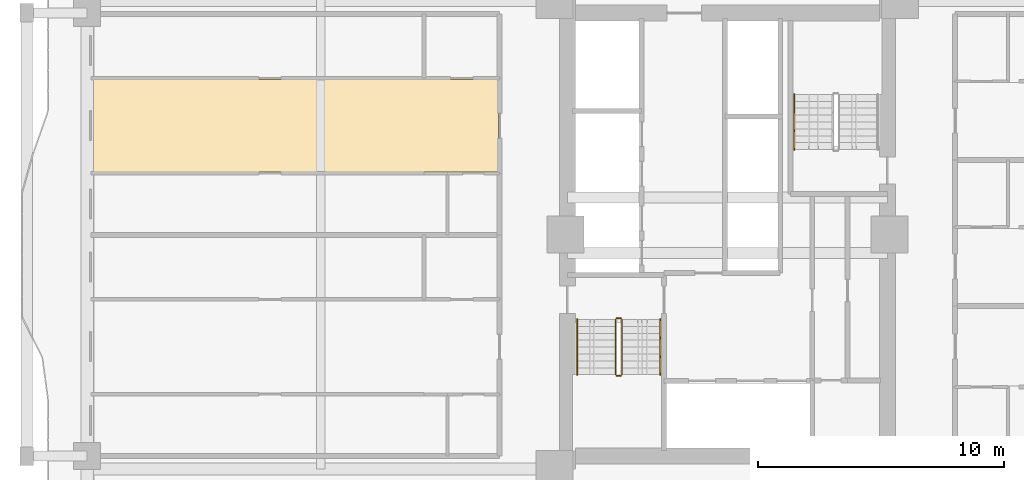
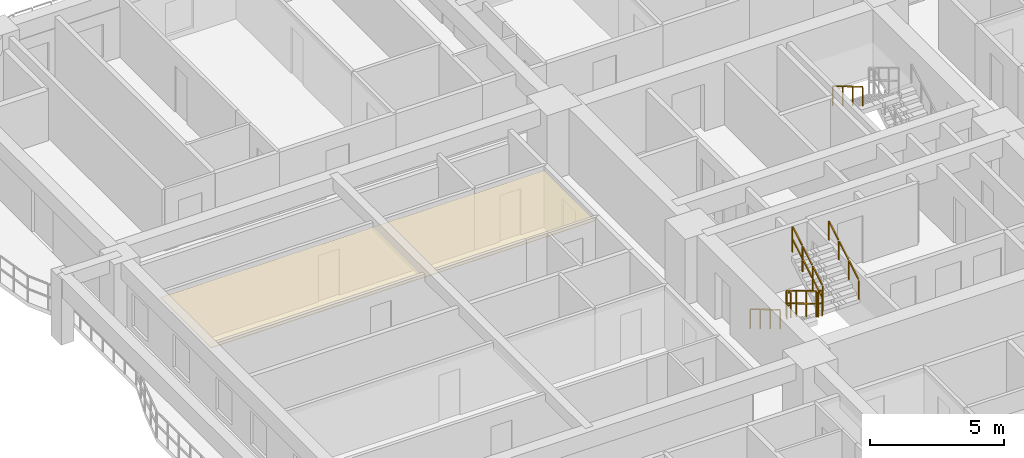
# One storey, part 14 of 18: 7 railings, 1 covering.
"""IFC4 building model written with IfcOpenShell, lengths in metres."""

from ifc_helpers import new_model, si_unit, direction, frame, origin, origin_2d, place, context, subcontext, project, spatial, polyline, rectangle, outline, extrude, material, layer, layer_set, type_object, element, save


model = new_model("IFC4")

# Units and contexts
model_context = context("Model", 3, precision=1e-05, world=origin(), true_north=direction((0.0, 1.0)))
body_context = subcontext(model_context, "Body", "Model", "MODEL_VIEW")
ifc_project = project(units=[si_unit("LENGTHUNIT", "METRE"), si_unit("AREAUNIT", "SQUARE_METRE"), si_unit("VOLUMEUNIT", "CUBIC_METRE"), si_unit("PLANEANGLEUNIT", "RADIAN"), si_unit("MASSUNIT", "GRAM", prefix="KILO")], contexts=[model_context])

# Site, building, storey
site_placement = place(None, origin())
site = spatial("IfcSite", under=ifc_project, at=site_placement, CompositionType="ELEMENT")
building_placement = place(site_placement, origin())
building = spatial("IfcBuilding", under=site, at=building_placement, Name="Saelheon Loggia Tower", CompositionType="ELEMENT")
storey_placement = place(building_placement, frame((0.0, 0.0, 40.39990234375)))
storey = spatial("IfcBuildingStorey", under=building, at=storey_placement, Name="L12", CompositionType="ELEMENT", Elevation=40.39990234375)

# Covering
ifc_material_1 = material(Name="Mineral-Fibre Acoustic Ceiling Board", Category="gypsum")
ifc_layer = layer(ifc_material_1, 0.02490234375)
ifc_layer_set = layer_set([ifc_layer], Name="Mineral-Fibre Acoustic Ceiling Board")
covering_type = type_object("IfcCoveringType", Name="Cov_Ceiling_Acoustic", PredefinedType="CEILING", material=ifc_layer_set)
covering_placement = place(storey_placement, frame((0.0, 0.0, 2.53515625)))
element("IfcCovering", 1, at=covering_placement, inside=storey, type_object=covering_type, Name="L12 Acoustic Suspended Ceiling", PredefinedType="CEILING", context=body_context, shape_type="SweptSolid", body=[
    extrude(outline(polyline([(12.199951171875, 29.5380859375), (28.699951171875, 29.5380859375), (28.699951171875, 33.300048828125), (12.199951171875, 33.300048828125), (12.199951171875, 29.5380859375)])), origin(), (0.0, 0.0, 1.0), 0.02490234375),
])

# Railings
ifc_material_2 = material(Name="Galvanised Steel S275 Stairwell Guardrail", Category="steel")
railing_type_1 = type_object("IfcRailingType", Name="Guard_StairWell_RL_STG", PredefinedType="GUARDRAIL", material=ifc_material_2)
railing_1_placement = place(storey_placement, frame((33.4599609375, 23.550048828125, 0.166748046875)))
element("IfcRailing", 2, at=railing_1_placement, inside=storey, type_object=railing_type_1, Name="L12 ST1 stair guard 1", PredefinedType="GUARDRAIL", context=body_context, shape_type="SweptSolid", body=[
    extrude(rectangle(XDim=0.048095703125, YDim=0.048095703125, at=origin_2d()), frame((0.0, -0.028564453125, 1.19287109375), z_axis=(0.0, -0.859305625298, 0.511462454469), x_axis=(1.0, 0.0, 0.0)), (0.0, 0.0, 1.0), 0.802490234375),
    extrude(rectangle(XDim=0.048095703125, YDim=0.048095703125, at=origin_2d()), frame((0.0, -0.028564453125, 0.616943359375), z_axis=(0.0, -0.859305625298, 0.511462454469), x_axis=(1.0, 0.0, 0.0)), (0.0, 0.0, 1.0), 0.802490234375),
    extrude(rectangle(XDim=0.048095703125, YDim=0.048095703125, at=origin_2d()), frame((0.0, -0.775146484375, 1.63720703125), z_axis=(0.0, -0.859305625298, 0.511462454469), x_axis=(1.0, 0.0, 0.0)), (0.0, 0.0, 1.0), 0.802490234375),
    extrude(rectangle(XDim=0.048095703125, YDim=0.048095703125, at=origin_2d()), frame((0.0, -0.775146484375, 1.061279296875), z_axis=(0.0, -0.859305625298, 0.511462454469), x_axis=(1.0, 0.0, 0.0)), (0.0, 0.0, 1.0), 0.802490234375),
    extrude(rectangle(XDim=0.048095703125, YDim=0.048095703125, at=origin_2d()), frame((0.0, -1.52197265625, 2.081787109375), z_axis=(0.0, -0.859305625298, 0.511462454469), x_axis=(1.0, 0.0, 0.0)), (0.0, 0.0, 1.0), 0.802490234375),
    extrude(rectangle(XDim=0.048095703125, YDim=0.048095703125, at=origin_2d()), frame((0.0, -1.52197265625, 1.505859375), z_axis=(0.0, -0.859305625298, 0.511462454469), x_axis=(1.0, 0.0, 0.0)), (0.0, 0.0, 1.0), 0.802490234375),
    extrude(rectangle(XDim=0.0419921875, YDim=0.0419921875, at=origin_2d()), origin(), (0.0, 0.0, 1.0), 1.14794921875),
    extrude(rectangle(XDim=0.0419921875, YDim=0.0419921875, at=origin_2d()), frame((0.0, -0.74658203125, 0.4443359375)), (0.0, 0.0, 1.0), 1.14794921875),
    extrude(rectangle(XDim=0.0419921875, YDim=0.0419921875, at=origin_2d()), frame((0.0, -1.493408203125, 0.888916015625)), (0.0, 0.0, 1.0), 1.14794921875),
    extrude(rectangle(XDim=0.0419921875, YDim=0.0419921875, at=origin_2d()), frame((0.0, -2.239990234375, 1.333251953125)), (0.0, 0.0, 1.0), 1.14794921875),
])
railing_2_placement = place(storey_placement, frame((33.510009765625, 21.260009765625, 1.5)))
element("IfcRailing", 3, at=railing_2_placement, inside=storey, type_object=railing_type_1, Name="L12 ST1 stair guard 2", PredefinedType="GUARDRAIL", context=body_context, shape_type="SweptSolid", body=[
    extrude(rectangle(XDim=0.048095703125, YDim=0.048095703125, at=origin_2d()), frame((0.033203125, 0.0, 1.17578125), z_axis=(1.0, 0.0, 0.0), x_axis=(0.0, 1.0, 0.0)), (0.0, 0.0, 1.0), 0.093505859375),
    extrude(rectangle(XDim=0.048095703125, YDim=0.048095703125, at=origin_2d()), frame((0.033203125, 0.0, 0.60009765625), z_axis=(1.0, 0.0, 0.0), x_axis=(0.0, 1.0, 0.0)), (0.0, 0.0, 1.0), 0.093505859375),
    extrude(rectangle(XDim=0.0419921875, YDim=0.0419921875, at=origin_2d()), origin(), (0.0, 0.0, 1.0), 1.14794921875),
    extrude(rectangle(XDim=0.0419921875, YDim=0.0419921875, at=origin_2d()), frame((0.159912109375, 0.0, 0.0)), (0.0, 0.0, 1.0), 1.14794921875),
])
railing_3_placement = place(storey_placement, frame((33.719970703125, 21.31005859375, 1.666748046875)))
element("IfcRailing", 4, at=railing_3_placement, inside=storey, type_object=railing_type_1, Name="L12 ST1 stair guard 3", PredefinedType="GUARDRAIL", context=body_context, shape_type="SweptSolid", body=[
    extrude(rectangle(XDim=0.048095703125, YDim=0.048095703125, at=origin_2d()), frame((0.0, 0.028564453125, 1.19287109375), z_axis=(0.0, 0.859305625298, 0.511462454469), x_axis=(-1.0, 0.0, 0.0)), (0.0, 0.0, 1.0), 0.802490234375),
    extrude(rectangle(XDim=0.048095703125, YDim=0.048095703125, at=origin_2d()), frame((0.0, 0.028564453125, 0.616943359375), z_axis=(0.0, 0.859305625298, 0.511462454469), x_axis=(-1.0, 0.0, 0.0)), (0.0, 0.0, 1.0), 0.802490234375),
    extrude(rectangle(XDim=0.048095703125, YDim=0.048095703125, at=origin_2d()), frame((0.0, 0.775146484375, 1.63720703125), z_axis=(0.0, 0.859305625298, 0.511462454469), x_axis=(-1.0, 0.0, 0.0)), (0.0, 0.0, 1.0), 0.802490234375),
    extrude(rectangle(XDim=0.048095703125, YDim=0.048095703125, at=origin_2d()), frame((0.0, 0.775146484375, 1.061279296875), z_axis=(0.0, 0.859305625298, 0.511462454469), x_axis=(-1.0, 0.0, 0.0)), (0.0, 0.0, 1.0), 0.802490234375),
    extrude(rectangle(XDim=0.048095703125, YDim=0.048095703125, at=origin_2d()), frame((0.0, 1.52197265625, 2.081787109375), z_axis=(0.0, 0.859305625298, 0.511462454469), x_axis=(-1.0, 0.0, 0.0)), (0.0, 0.0, 1.0), 0.802490234375),
    extrude(rectangle(XDim=0.048095703125, YDim=0.048095703125, at=origin_2d()), frame((0.0, 1.52197265625, 1.505859375), z_axis=(0.0, 0.859305625298, 0.511462454469), x_axis=(-1.0, 0.0, 0.0)), (0.0, 0.0, 1.0), 0.802490234375),
    extrude(rectangle(XDim=0.0419921875, YDim=0.0419921875, at=origin_2d()), origin(), (0.0, 0.0, 1.0), 1.14794921875),
    extrude(rectangle(XDim=0.0419921875, YDim=0.0419921875, at=origin_2d()), frame((0.0, 0.74658203125, 0.4443359375)), (0.0, 0.0, 1.0), 1.14794921875),
    extrude(rectangle(XDim=0.0419921875, YDim=0.0419921875, at=origin_2d()), frame((0.0, 1.493408203125, 0.888916015625)), (0.0, 0.0, 1.0), 1.14794921875),
    extrude(rectangle(XDim=0.0419921875, YDim=0.0419921875, at=origin_2d()), frame((0.0, 2.239990234375, 1.333251953125)), (0.0, 0.0, 1.0), 1.14794921875),
])
railing_4_placement = place(storey_placement, frame((33.510009765625, 23.60009765625, 0.0)))
element("IfcRailing", 5, at=railing_4_placement, inside=storey, type_object=railing_type_1, Name="L12 ST1 stair guard 4", PredefinedType="GUARDRAIL", context=body_context, shape_type="SweptSolid", body=[
    extrude(rectangle(XDim=0.048095703125, YDim=0.048095703125, at=origin_2d()), frame((0.033203125, 0.0, 1.17578125), z_axis=(1.0, 0.0, 0.0), x_axis=(0.0, 1.0, 0.0)), (0.0, 0.0, 1.0), 0.093505859375),
    extrude(rectangle(XDim=0.048095703125, YDim=0.048095703125, at=origin_2d()), frame((0.033203125, 0.0, 0.60009765625), z_axis=(1.0, 0.0, 0.0), x_axis=(0.0, 1.0, 0.0)), (0.0, 0.0, 1.0), 0.093505859375),
    extrude(rectangle(XDim=0.0419921875, YDim=0.0419921875, at=origin_2d()), origin(), (0.0, 0.0, 1.0), 1.14794921875),
    extrude(rectangle(XDim=0.0419921875, YDim=0.0419921875, at=origin_2d()), frame((0.159912109375, 0.0, 0.0)), (0.0, 0.0, 1.0), 1.14794921875),
])
ifc_material_3 = material(Name="Stainless Steel 304 Tubular Handrail", Category="steel")
railing_type_2 = type_object("IfcRailingType", Name="Handrail_Stair_RL_HR1", PredefinedType="HANDRAIL", material=ifc_material_3)
railing_5_placement = place(storey_placement, frame((31.89990234375, 23.550048828125, 0.166748046875)))
element("IfcRailing", 6, at=railing_5_placement, inside=storey, type_object=railing_type_2, Name="L12 ST1 stair handrail 1", PredefinedType="HANDRAIL", context=body_context, shape_type="SweptSolid", body=[
    extrude(rectangle(XDim=0.048095703125, YDim=0.048095703125, at=origin_2d()), frame((0.0, -0.028564453125, 0.892822265625), z_axis=(0.0, -0.859305625298, 0.511462454469), x_axis=(1.0, 0.0, 0.0)), (0.0, 0.0, 1.0), 0.802490234375),
    extrude(rectangle(XDim=0.048095703125, YDim=0.048095703125, at=origin_2d()), frame((0.0, -0.775146484375, 1.337158203125), z_axis=(0.0, -0.859305625298, 0.511462454469), x_axis=(1.0, 0.0, 0.0)), (0.0, 0.0, 1.0), 0.802490234375),
    extrude(rectangle(XDim=0.048095703125, YDim=0.048095703125, at=origin_2d()), frame((0.0, -1.52197265625, 1.78173828125), z_axis=(0.0, -0.859305625298, 0.511462454469), x_axis=(1.0, 0.0, 0.0)), (0.0, 0.0, 1.0), 0.802490234375),
    extrude(rectangle(XDim=0.0419921875, YDim=0.0419921875, at=origin_2d()), origin(), (0.0, 0.0, 1.0), 0.847900390625),
    extrude(rectangle(XDim=0.0419921875, YDim=0.0419921875, at=origin_2d()), frame((0.0, -0.74658203125, 0.4443359375)), (0.0, 0.0, 1.0), 0.847900390625),
    extrude(rectangle(XDim=0.0419921875, YDim=0.0419921875, at=origin_2d()), frame((0.0, -1.493408203125, 0.888916015625)), (0.0, 0.0, 1.0), 0.847900390625),
    extrude(rectangle(XDim=0.0419921875, YDim=0.0419921875, at=origin_2d()), frame((0.0, -2.239990234375, 1.333251953125)), (0.0, 0.0, 1.0), 0.847900390625),
])
railing_6_placement = place(storey_placement, frame((35.280029296875, 21.31005859375, 1.666748046875)))
element("IfcRailing", 7, at=railing_6_placement, inside=storey, type_object=railing_type_2, Name="L12 ST1 stair handrail 2", PredefinedType="HANDRAIL", context=body_context, shape_type="SweptSolid", body=[
    extrude(rectangle(XDim=0.048095703125, YDim=0.048095703125, at=origin_2d()), frame((0.0, 0.028564453125, 0.892822265625), z_axis=(0.0, 0.859305625298, 0.511462454469), x_axis=(-1.0, 0.0, 0.0)), (0.0, 0.0, 1.0), 0.802490234375),
    extrude(rectangle(XDim=0.048095703125, YDim=0.048095703125, at=origin_2d()), frame((0.0, 0.775146484375, 1.337158203125), z_axis=(0.0, 0.859305625298, 0.511462454469), x_axis=(-1.0, 0.0, 0.0)), (0.0, 0.0, 1.0), 0.802490234375),
    extrude(rectangle(XDim=0.048095703125, YDim=0.048095703125, at=origin_2d()), frame((0.0, 1.52197265625, 1.78173828125), z_axis=(0.0, 0.859305625298, 0.511462454469), x_axis=(-1.0, 0.0, 0.0)), (0.0, 0.0, 1.0), 0.802490234375),
    extrude(rectangle(XDim=0.0419921875, YDim=0.0419921875, at=origin_2d()), origin(), (0.0, 0.0, 1.0), 0.847900390625),
    extrude(rectangle(XDim=0.0419921875, YDim=0.0419921875, at=origin_2d()), frame((0.0, 0.74658203125, 0.4443359375)), (0.0, 0.0, 1.0), 0.847900390625),
    extrude(rectangle(XDim=0.0419921875, YDim=0.0419921875, at=origin_2d()), frame((0.0, 1.493408203125, 0.888916015625)), (0.0, 0.0, 1.0), 0.847900390625),
    extrude(rectangle(XDim=0.0419921875, YDim=0.0419921875, at=origin_2d()), frame((0.0, 2.239990234375, 1.333251953125)), (0.0, 0.0, 1.0), 0.847900390625),
])
railing_7_placement = place(storey_placement, frame((40.719970703125, 32.68994140625, 1.666748046875)))
element("IfcRailing", 8, at=railing_7_placement, inside=storey, type_object=railing_type_2, Name="L12 ST2 stair handrail 2", PredefinedType="HANDRAIL", context=body_context, shape_type="SweptSolid", body=[
    extrude(rectangle(XDim=0.048095703125, YDim=0.048095703125, at=origin_2d()), frame((0.0, -0.028564453125, 0.892822265625), z_axis=(0.0, -0.859305625298, 0.511462454469), x_axis=(1.0, 0.0, 0.0)), (0.0, 0.0, 1.0), 0.802490234375),
    extrude(rectangle(XDim=0.048095703125, YDim=0.048095703125, at=origin_2d()), frame((0.0, -0.775146484375, 1.337158203125), z_axis=(0.0, -0.859305625298, 0.511462454469), x_axis=(1.0, 0.0, 0.0)), (0.0, 0.0, 1.0), 0.802490234375),
    extrude(rectangle(XDim=0.048095703125, YDim=0.048095703125, at=origin_2d()), frame((0.0, -1.52197265625, 1.78173828125), z_axis=(0.0, -0.859305625298, 0.511462454469), x_axis=(1.0, 0.0, 0.0)), (0.0, 0.0, 1.0), 0.802490234375),
    extrude(rectangle(XDim=0.0419921875, YDim=0.0419921875, at=origin_2d()), origin(), (0.0, 0.0, 1.0), 0.847900390625),
    extrude(rectangle(XDim=0.0419921875, YDim=0.0419921875, at=origin_2d()), frame((0.0, -0.74658203125, 0.4443359375)), (0.0, 0.0, 1.0), 0.847900390625),
    extrude(rectangle(XDim=0.0419921875, YDim=0.0419921875, at=origin_2d()), frame((0.0, -1.493408203125, 0.888916015625)), (0.0, 0.0, 1.0), 0.847900390625),
    extrude(rectangle(XDim=0.0419921875, YDim=0.0419921875, at=origin_2d()), frame((0.0, -2.239990234375, 1.333251953125)), (0.0, 0.0, 1.0), 0.847900390625),
])

save(model, "model.ifc")
